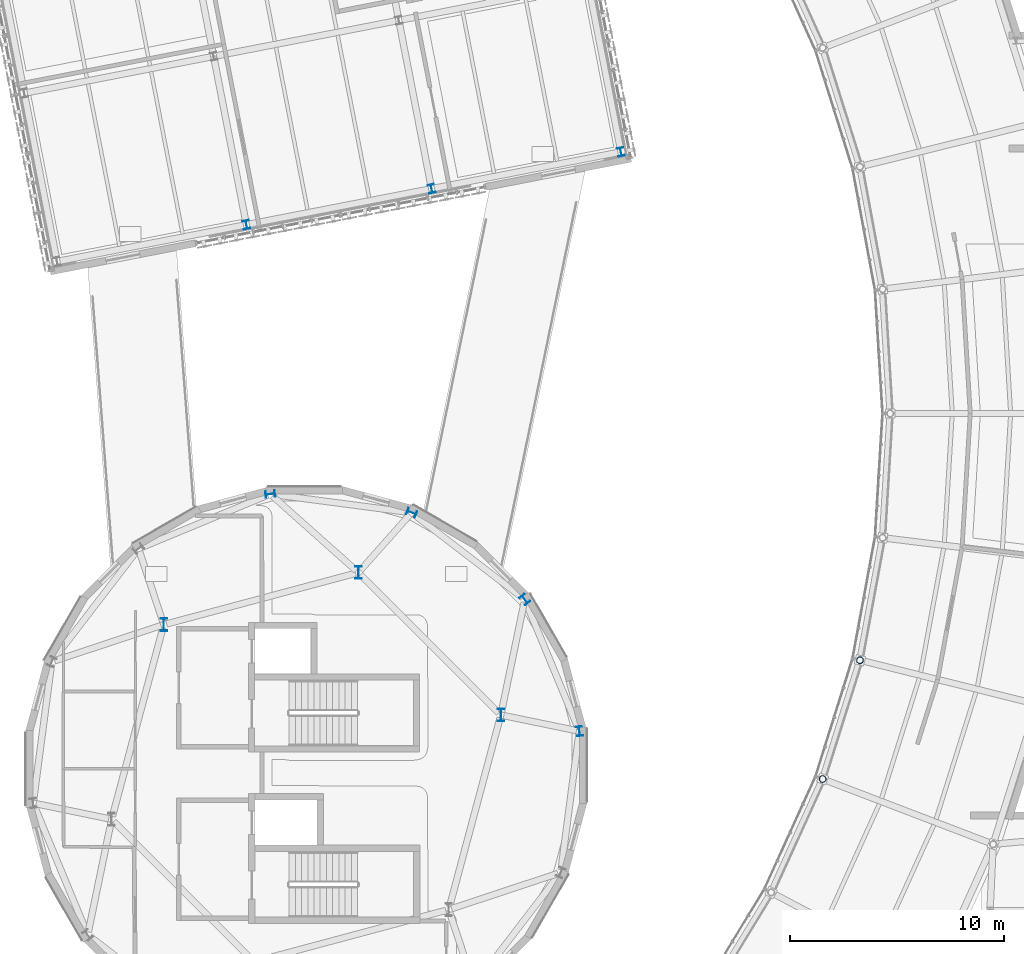
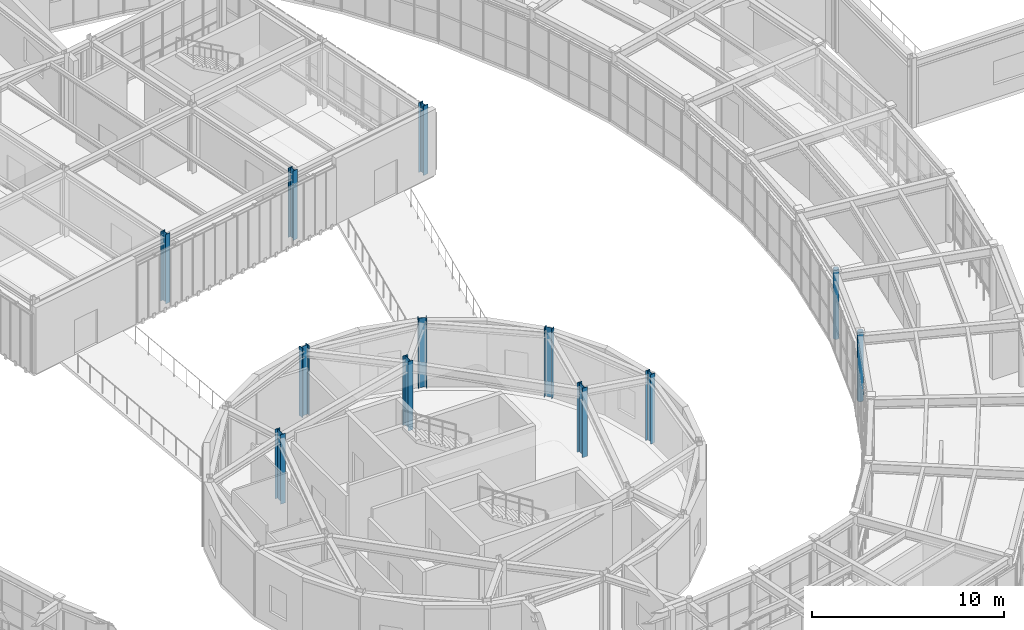
# One storey, part 7 of 103: 12 columns.
"""IFC4 building model written with IfcOpenShell, lengths in metres."""

from ifc_helpers import new_model, si_unit, direction, frame, origin, origin_2d, place, context, subcontext, project, spatial, hollow_circle, i_section, extrude, material, material_profile, profile_set, type_object, element, save


model = new_model("IFC4")

# Units and contexts
model_context = context("Model", 3, precision=1e-05, world=origin(), true_north=direction((0.0, 1.0)))
body_context = subcontext(model_context, "Body", "Model", "MODEL_VIEW")
ifc_project = project(units=[si_unit("LENGTHUNIT", "METRE"), si_unit("AREAUNIT", "SQUARE_METRE"), si_unit("VOLUMEUNIT", "CUBIC_METRE"), si_unit("PLANEANGLEUNIT", "RADIAN"), si_unit("MASSUNIT", "GRAM", prefix="KILO")], contexts=[model_context])

# Site, building, storey
site_placement = place(None, origin())
site = spatial("IfcSite", under=ifc_project, at=site_placement, CompositionType="ELEMENT")
building_placement = place(site_placement, origin())
building = spatial("IfcBuilding", under=site, at=building_placement, Name="Varnklinge Art Gallery", CompositionType="ELEMENT")
storey_placement = place(building_placement, frame((0.0, 0.0, 5.10009765625)))
storey = spatial("IfcBuildingStorey", under=building, at=storey_placement, Name="L01", CompositionType="ELEMENT", Elevation=5.10009765625)

# Columns
ifc_material_1 = material(Name="Steel S355", Category="steel")
ifc_material_profile_1 = material_profile(ifc_material_1, i_section(OverallWidth=0.300048828125, OverallDepth=0.60009765625, WebThickness=0.015380859375, FlangeThickness=0.030029296875, FilletRadius=0.027099609375, at=origin_2d()), Name="HEB 600")
ifc_profile_set_1 = profile_set([ifc_material_profile_1], Name="Steel S355")
column_type_1 = type_object("IfcColumnType", Name="COL-04", PredefinedType="COLUMN", material=ifc_profile_set_1)
for number, where, z_axis, x_axis, name in (
    (1, (84.57958984375, 40.932861328125, 0.0), (0.0, 0.0, 1.0), (1.0, 0.0, 0.0), "L01 Column V4CI-1"),
    (2, (77.932861328125, 47.57958984375, 0.0), (0.0, 0.0, 1.0), (1.0, 0.0, 0.0), "L01 Column V4CI-2"),
    (3, (68.853271484375, 45.146728515625, 0.0), (0.0, 0.0, 1.0), (1.0, 0.0, 0.0), "L01 Column V4CI-3"),
):
    element("IfcColumn", number, at=place(storey_placement, frame(where, z_axis=z_axis, x_axis=x_axis)), inside=storey, type_object=column_type_1, Name=name, PredefinedType="COLUMN", context=body_context, shape_type="SweptSolid", body=[
        extrude(i_section(OverallWidth=0.300048828125, OverallDepth=0.60009765625, WebThickness=0.015380859375, FlangeThickness=0.030029296875, FilletRadius=0.027099609375, at=origin_2d()), origin(), (0.0, 0.0, 1.0), 4.419921875),
    ])
ifc_material_2 = material(Name="Steel S355", Category="steel")
ifc_material_profile_2 = material_profile(ifc_material_2, i_section(OverallWidth=0.300048828125, OverallDepth=0.449951171875, WebThickness=0.013916015625, FlangeThickness=0.02587890625, FilletRadius=0.027099609375, at=origin_2d()), Name="HEB 450")
ifc_profile_set_2 = profile_set([ifc_material_profile_2], Name="Steel S355")
column_type_2 = type_object("IfcColumnType", Name="COL-E2", PredefinedType="COLUMN", material=ifc_profile_set_2)
for number, where, z_axis, x_axis, name in (
    (4, (88.239990234375, 40.17724609375, 0.0), (0.0, 0.0, 1.0), (0.991444861374, 0.13052619222, 0.0), "L01 Column V4CP-01"),
    (5, (85.694580078125, 46.322509765625, 0.0), (0.0, 0.0, 1.0), (0.793353340291, 0.608761429009, 0.0), "L01 Column V4CP-02"),
    (6, (80.41748046875, 50.371826171875, 0.0), (0.0, 0.0, 1.0), (0.382683432365, 0.923879532511, 0.0), "L01 Column V4CP-03"),
    (7, (73.82275390625, 51.239990234375, 0.0), (0.0, 0.0, 1.0), (-0.13052619222, 0.991444861374, 0.0), "L01 Column V4CP-04"),
):
    element("IfcColumn", number, at=place(storey_placement, frame(where, z_axis=z_axis, x_axis=x_axis)), inside=storey, type_object=column_type_2, Name=name, PredefinedType="COLUMN", context=body_context, shape_type="SweptSolid", body=[
        extrude(i_section(OverallWidth=0.300048828125, OverallDepth=0.449951171875, WebThickness=0.013916015625, FlangeThickness=0.02587890625, FilletRadius=0.027099609375, at=origin_2d()), origin(), (0.0, 0.0, 1.0), 4.419921875),
    ])
ifc_material_3 = material(Name="Steel S355", Category="steel")
ifc_material_profile_3 = material_profile(ifc_material_3, i_section(OverallWidth=0.300048828125, OverallDepth=0.39990234375, WebThickness=0.013427734375, FlangeThickness=0.02392578125, FilletRadius=0.027099609375, at=origin_2d()), Name="HEB 400")
ifc_profile_set_3 = profile_set([ifc_material_profile_3], Name="Steel S355")
column_type_3 = type_object("IfcColumnType", Name="COL-E3", PredefinedType="COLUMN", material=ifc_profile_set_3)
for number, where, z_axis, x_axis, name in (
    (8, (72.707275390625, 63.807373046875, 0.0), (0.0, 0.0, 1.0), (0.981627183448, 0.190808995377, 0.0), "L01 Column V4BC-2-1"),
    (9, (81.345703125, 65.486572265625, 0.0), (0.0, 0.0, 1.0), (0.981627183448, 0.190808995377, 0.0), "L01 Column V4BC-3-1"),
    (10, (90.180419921875, 67.203857421875, 0.0), (0.0, 0.0, 1.0), (0.981627183448, 0.190808995377, 0.0), "L01 Column V4BC-4-1"),
):
    element("IfcColumn", number, at=place(storey_placement, frame(where, z_axis=z_axis, x_axis=x_axis)), inside=storey, type_object=column_type_3, Name=name, PredefinedType="COLUMN", context=body_context, shape_type="SweptSolid", body=[
        extrude(i_section(OverallWidth=0.300048828125, OverallDepth=0.39990234375, WebThickness=0.013427734375, FlangeThickness=0.02392578125, FilletRadius=0.027099609375, at=origin_2d()), origin(), (0.0, 0.0, 1.0), 4.419921875),
    ])
ifc_material_4 = material(Name="Steel S355", Category="steel")
ifc_material_profile_4 = material_profile(ifc_material_4, hollow_circle(Radius=0.161865234375, WallThickness=0.01611328125, at=origin_2d()), Name="CHS 323.9x16")
ifc_profile_set_4 = profile_set([ifc_material_profile_4], Name="Steel S355")
column_type_4 = type_object("IfcColumnType", Name="COL-E6", PredefinedType="COLUMN", material=ifc_profile_set_4)
for number, where, z_axis, x_axis, name in (
    (11, (99.59130859375, 37.9453125, 0.0), (0.0, 0.0, 1.0), (-0.934017558691, 0.357227098715, 0.0), "L01 Column V2CI-04"),
    (12, (101.332763671875, 43.488037109375, 0.0), (0.0, 0.0, 1.0), (-0.970506473469, 0.241075060833, 0.0), "L01 Column V2CI-05"),
):
    element("IfcColumn", number, at=place(storey_placement, frame(where, z_axis=z_axis, x_axis=x_axis)), inside=storey, type_object=column_type_4, Name=name, PredefinedType="COLUMN", context=body_context, shape_type="SweptSolid", body=[
        extrude(hollow_circle(Radius=0.161865234375, WallThickness=0.01611328125, at=origin_2d()), origin(), (0.0, 0.0, 1.0), 4.419921875),
    ])

save(model, "model.ifc")
